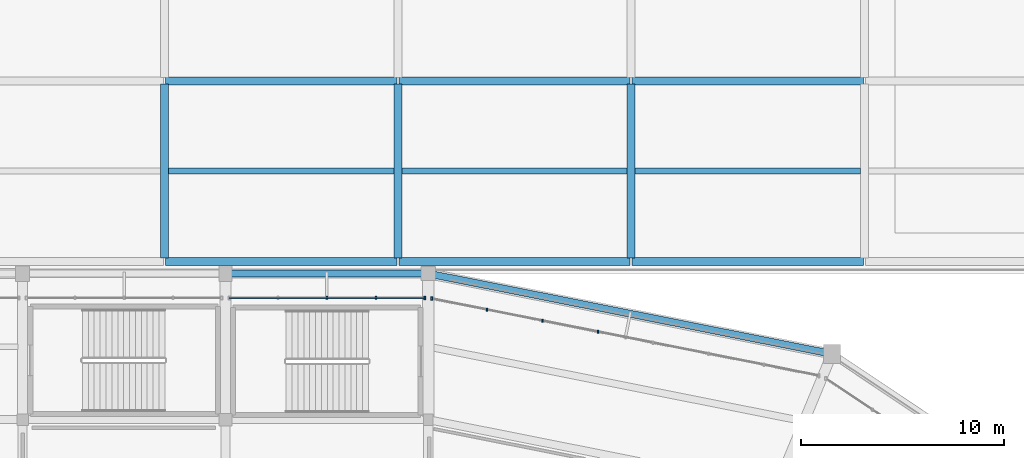
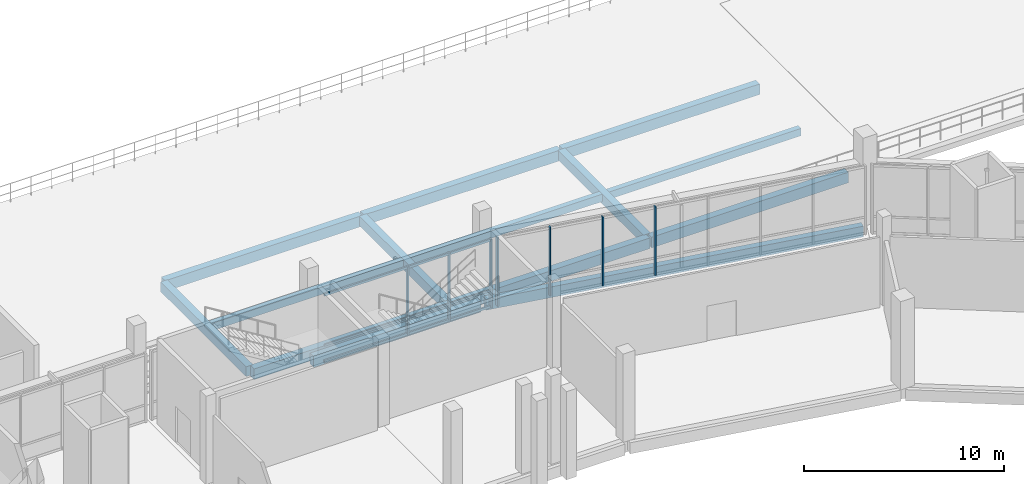
# One storey, part 56 of 111: 14 beams, 10 members, 2 elements without a shape of their own.
"""IFC4 building model written with IfcOpenShell, lengths in metres."""

from ifc_helpers import new_model, si_unit, direction, frame, origin, origin_2d, place, context, subcontext, project, spatial, rectangle, extrude, material, material_profile, profile_set, type_object, element, aggregate, save


model = new_model("IFC4")

# Units and contexts
model_context = context("Model", 3, precision=1e-05, world=origin(), true_north=direction((0.0, 1.0)))
body_context = subcontext(model_context, "Body", "Model", "MODEL_VIEW")
ifc_project = project(units=[si_unit("LENGTHUNIT", "METRE"), si_unit("AREAUNIT", "SQUARE_METRE"), si_unit("VOLUMEUNIT", "CUBIC_METRE"), si_unit("PLANEANGLEUNIT", "RADIAN"), si_unit("MASSUNIT", "GRAM", prefix="KILO")], contexts=[model_context])

# Site, building, storey
site_placement = place(None, origin())
site = spatial("IfcSite", under=ifc_project, at=site_placement, CompositionType="ELEMENT")
building_placement = place(site_placement, origin())
building = spatial("IfcBuilding", under=site, at=building_placement, Name="Candeia Ridge Stadium", CompositionType="ELEMENT")
storey_placement = place(building_placement, frame((0.0, 0.0, 16.199951171875)))
storey = spatial("IfcBuildingStorey", under=building, at=storey_placement, Name="L03", CompositionType="ELEMENT", Elevation=16.199951171875)

# Curtain wall, member
ifc_material_1 = material(Name="Aluminium Anodized Warm Bronze", Category="aluminium")
curtain_wall_type = type_object("IfcCurtainWallType", Name="Concourse Recessed Unitised Curtain Wall", PredefinedType="NOTDEFINED", material=ifc_material_1)
curtain_wall_1_placement = place(storey_placement, origin())
curtain_wall_1 = element("IfcCurtainWall", 1, at=curtain_wall_1_placement, inside=storey, type_object=curtain_wall_type, Name="Unitised curtain wall CW-BWL-L03-00", PredefinedType="NOTDEFINED")
ifc_material_profile_1 = material_profile(ifc_material_1, rectangle(XDim=0.090087890625, YDim=0.179931640625, at=origin_2d()), Name="CWM-90x180", Category="aluminium")
ifc_profile_set_1 = profile_set([ifc_material_profile_1], Name="Aluminium Anodized Warm Bronze")
member_type_1 = type_object("IfcMemberType", Name="Curtain Wall Primary Mullion 90x180", PredefinedType="MULLION", material=ifc_profile_set_1)
member_1_placement = place(storey_placement, frame((140.820068359375, 145.800048828125, 0.0), z_axis=(0.0, 0.0, 1.0), x_axis=(1.0, 0.0, 0.0)))
member_1 = element("IfcMember", 2, at=member_1_placement, type_object=member_type_1, Name="Curtain wall mullion CW-BWL-L03-00-M0", PredefinedType="MULLION", context=body_context, shape_type="SweptSolid", body=[
    extrude(rectangle(XDim=0.090087890625, YDim=0.179931640625, at=origin_2d()), origin(), (0.0, 0.0, 1.0), 4.205078125),
])

curtain_wall_2_placement = place(storey_placement, origin())
curtain_wall_2 = element("IfcCurtainWall", 3, at=curtain_wall_2_placement, inside=storey, type_object=curtain_wall_type, Name="Unitised curtain wall CW-BWL-L03-35", PredefinedType="NOTDEFINED")
member_2_placement = place(storey_placement, frame((141.176513671875, 145.764892578125, 0.0), z_axis=(0.0, 0.0, 1.0), x_axis=(1.0, 0.0, 0.0)))
member_2 = element("IfcMember", 4, at=member_2_placement, type_object=member_type_1, Name="Curtain wall mullion CW-BWL-L03-35-M7", PredefinedType="MULLION", context=body_context, shape_type="SweptSolid", body=[
    extrude(rectangle(XDim=0.090087890625, YDim=0.179931640625, at=origin_2d()), origin(), (0.0, 0.0, 1.0), 4.205078125),
])

# Member
ifc_material_profile_2 = material_profile(ifc_material_1, rectangle(XDim=0.074951171875, YDim=0.14990234375, at=origin_2d()), Name="CWM-75x150", Category="aluminium")
ifc_profile_set_2 = profile_set([ifc_material_profile_2], Name="Aluminium Anodized Warm Bronze")
member_type_2 = type_object("IfcMemberType", Name="Curtain Wall Secondary Mullion 75x150", PredefinedType="MULLION", material=ifc_profile_set_2)
member_3_placement = place(storey_placement, frame((138.409912109375, 145.800048828125, 0.0), z_axis=(0.0, 0.0, 1.0), x_axis=(1.0, 0.0, 0.0)))
member_3 = element("IfcMember", 5, at=member_3_placement, type_object=member_type_2, Name="Curtain wall mullion CW-BWL-L03-00-M1", PredefinedType="MULLION", context=body_context, shape_type="SweptSolid", body=[
    extrude(rectangle(XDim=0.074951171875, YDim=0.14990234375, at=origin_2d()), origin(), (0.0, 0.0, 1.0), 4.205078125),
])

member_4_placement = place(storey_placement, frame((136.0, 145.800048828125, 0.0), z_axis=(0.0, 0.0, 1.0), x_axis=(1.0, 0.0, 0.0)))
member_4 = element("IfcMember", 6, at=member_4_placement, type_object=member_type_2, Name="Curtain wall mullion CW-BWL-L03-00-M2", PredefinedType="MULLION", context=body_context, shape_type="SweptSolid", body=[
    extrude(rectangle(XDim=0.074951171875, YDim=0.14990234375, at=origin_2d()), origin(), (0.0, 0.0, 1.0), 4.205078125),
])

member_5_placement = place(storey_placement, frame((149.356689453125, 144.1376953125, 0.0), z_axis=(0.0, 0.0, 1.0), x_axis=(1.0, 0.0, 0.0)))
member_5 = element("IfcMember", 7, at=member_5_placement, type_object=member_type_2, Name="Curtain wall mullion CW-BWL-L03-35-M4", PredefinedType="MULLION", context=body_context, shape_type="SweptSolid", body=[
    extrude(rectangle(XDim=0.074951171875, YDim=0.14990234375, at=origin_2d()), origin(), (0.0, 0.0, 1.0), 4.205078125),
])

member_6_placement = place(storey_placement, frame((146.6298828125, 144.68017578125, 0.0), z_axis=(0.0, 0.0, 1.0), x_axis=(1.0, 0.0, 0.0)))
member_6 = element("IfcMember", 8, at=member_6_placement, type_object=member_type_2, Name="Curtain wall mullion CW-BWL-L03-35-M5", PredefinedType="MULLION", context=body_context, shape_type="SweptSolid", body=[
    extrude(rectangle(XDim=0.074951171875, YDim=0.14990234375, at=origin_2d()), origin(), (0.0, 0.0, 1.0), 4.205078125),
])

member_7_placement = place(storey_placement, frame((143.9033203125, 145.222412109375, 0.0), z_axis=(0.0, 0.0, 1.0), x_axis=(1.0, 0.0, 0.0)))
member_7 = element("IfcMember", 9, at=member_7_placement, type_object=member_type_2, Name="Curtain wall mullion CW-BWL-L03-35-M6", PredefinedType="MULLION", context=body_context, shape_type="SweptSolid", body=[
    extrude(rectangle(XDim=0.074951171875, YDim=0.14990234375, at=origin_2d()), origin(), (0.0, 0.0, 1.0), 4.205078125),
])

aggregate(curtain_wall_2, [member_5, member_6, member_7, member_2])

ifc_material_profile_3 = material_profile(ifc_material_1, rectangle(XDim=0.074951171875, YDim=0.110107421875, at=origin_2d()), Name="CWT-75x110", Category="aluminium")
ifc_profile_set_3 = profile_set([ifc_material_profile_3], Name="Aluminium Anodized Warm Bronze")
member_type_3 = type_object("IfcMemberType", Name="Curtain Wall Secondary Transom 75x110", PredefinedType="USERDEFINED", material=ifc_profile_set_3)
member_8_placement = place(storey_placement, frame((140.820068359375, 145.800048828125, 1.05126953125), z_axis=(-1.0, 0.0, 0.0), x_axis=(0.0, -1.0, 0.0)))
member_8 = element("IfcMember", 10, at=member_8_placement, type_object=member_type_3, Name="Curtain wall transom CW-BWL-L03-00-T1", ObjectType="TRANSOM", PredefinedType="USERDEFINED", context=body_context, shape_type="SweptSolid", body=[
    extrude(rectangle(XDim=0.074951171875, YDim=0.110107421875, at=origin_2d()), origin(), (0.0, 0.0, 1.0), 9.64013671875),
])

ifc_material_profile_4 = material_profile(ifc_material_1, rectangle(XDim=0.090087890625, YDim=0.139892578125, at=origin_2d()), Name="CWT-90x140", Category="aluminium")
ifc_profile_set_4 = profile_set([ifc_material_profile_4], Name="Aluminium Anodized Warm Bronze")
member_type_4 = type_object("IfcMemberType", Name="Curtain Wall Transom 90x140", PredefinedType="USERDEFINED", material=ifc_profile_set_4)
member_9_placement = place(storey_placement, frame((140.820068359375, 145.800048828125, 0.070068359375), z_axis=(-1.0, 0.0, 0.0), x_axis=(0.0, -1.0, 0.0)))
member_9 = element("IfcMember", 11, at=member_9_placement, type_object=member_type_4, Name="Curtain wall transom CW-BWL-L03-00-T0", ObjectType="TRANSOM", PredefinedType="USERDEFINED", context=body_context, shape_type="SweptSolid", body=[
    extrude(rectangle(XDim=0.090087890625, YDim=0.139892578125, at=origin_2d()), origin(), (0.0, 0.0, 1.0), 9.64013671875),
])

member_10_placement = place(storey_placement, frame((140.820068359375, 145.800048828125, 4.135009765625), z_axis=(-1.0, 0.0, 0.0), x_axis=(0.0, -1.0, 0.0)))
member_10 = element("IfcMember", 12, at=member_10_placement, type_object=member_type_4, Name="Curtain wall transom CW-BWL-L03-00-T2", ObjectType="TRANSOM", PredefinedType="USERDEFINED", context=body_context, shape_type="SweptSolid", body=[
    extrude(rectangle(XDim=0.090087890625, YDim=0.139892578125, at=origin_2d()), origin(), (0.0, 0.0, 1.0), 9.64013671875),
])

aggregate(curtain_wall_1, [member_1, member_3, member_4, member_9, member_8, member_10])

# Beams
ifc_material_2 = material(Name="Concrete C40/50", Category="concrete")
ifc_material_profile_5 = material_profile(ifc_material_2, rectangle(XDim=0.300048828125, YDim=0.449951171875, at=origin_2d()), Name="RC300x450", Category="concrete")
ifc_profile_set_5 = profile_set([ifc_material_profile_5], Name="Concrete C40/50")
beam_type_1 = type_object("IfcBeamType", Name="Floor Joist RC300x450", PredefinedType="JOIST", material=ifc_profile_set_5)
for number, where, z_axis, x_axis, name in (
    (13, (128.199462890625, 152.050048828125, -0.5048828125), (1.0, 0.0, 0.0), (0.0, 1.0, 0.0), "Wing secondary joist BM-L03-1914"),
    (14, (139.699462890625, 152.050048828125, -0.5048828125), (1.0, 0.0, 0.0), (0.0, 1.0, 0.0), "Wing secondary joist BM-L03-1919"),
    (15, (151.199462890625, 152.050048828125, -0.5048828125), (1.0, 0.0, 0.0), (0.0, 1.0, 0.0), "Wing secondary joist BM-L03-1924"),
):
    element("IfcBeam", number, at=place(storey_placement, frame(where, z_axis=z_axis, x_axis=x_axis)), inside=storey, type_object=beam_type_1, Name=name, PredefinedType="JOIST", context=body_context, shape_type="SweptSolid", body=[
        extrude(rectangle(XDim=0.300048828125, YDim=0.449951171875, at=origin_2d()), origin(), (0.0, 0.0, 1.0), 11.10107421875),
    ])
ifc_material_profile_6 = material_profile(ifc_material_2, rectangle(XDim=0.39990234375, YDim=0.60009765625, at=origin_2d()), Name="RC400x600", Category="concrete")
ifc_profile_set_6 = profile_set([ifc_material_profile_6], Name="Concrete C40/50")
beam_type_2 = type_object("IfcBeamType", Name="Frame Girder RC400x600", PredefinedType="BEAM", material=ifc_profile_set_6)
for number, where, z_axis, x_axis, name in (
    (16, (128.0, 147.760009765625, -0.579833984375), (0.0, 1.0, 0.0), (-1.0, 0.0, 0.0), "Structural girder BM-L03-1896"),
    (17, (139.5, 147.760009765625, -0.579833984375), (0.0, 1.0, 0.0), (-1.0, 0.0, 0.0), "Structural girder BM-L03-1898"),
    (18, (151.0, 147.760009765625, -0.579833984375), (0.0, 1.0, 0.0), (-1.0, 0.0, 0.0), "Structural girder BM-L03-1900"),
):
    element("IfcBeam", number, at=place(storey_placement, frame(where, z_axis=z_axis, x_axis=x_axis)), inside=storey, type_object=beam_type_2, Name=name, PredefinedType="BEAM", context=body_context, shape_type="SweptSolid", body=[
        extrude(rectangle(XDim=0.39990234375, YDim=0.60009765625, at=origin_2d()), origin(), (0.0, 0.0, 1.0), 8.580078125),
    ])
ifc_material_profile_7 = material_profile(ifc_material_2, rectangle(XDim=0.340087890625, YDim=0.679931640625, at=origin_2d()), Name="RC340x680", Category="concrete")
ifc_profile_set_7 = profile_set([ifc_material_profile_7], Name="Concrete C40/50")
beam_type_3 = type_object("IfcBeamType", Name="Spandrel Beam RC340x680", PredefinedType="SPANDREL", material=ifc_profile_set_7)
beam_1_placement = place(storey_placement, frame((140.840087890625, 147.0, -0.58984375), z_axis=(-1.0, 0.0, 0.0), x_axis=(0.0, -1.0, 0.0)))
element("IfcBeam", 19, at=beam_1_placement, inside=storey, type_object=beam_type_3, Name="Bowl perimeter spandrel BM-L03-0555", PredefinedType="SPANDREL", context=body_context, shape_type="SweptSolid", body=[
    extrude(rectangle(XDim=0.340087890625, YDim=0.679931640625, at=origin_2d()), origin(), (0.0, 0.0, 1.0), 9.68017578125),
])
ifc_material_profile_8 = material_profile(ifc_material_2, rectangle(XDim=0.35009765625, YDim=0.64990234375, at=origin_2d()), Name="RC350x650", Category="concrete")
ifc_profile_set_8 = profile_set([ifc_material_profile_8], Name="Concrete C40/50")
beam_type_4 = type_object("IfcBeamType", Name="Spandrel Beam RC350x650", PredefinedType="SPANDREL", material=ifc_profile_set_8)
beam_2_placement = place(storey_placement, frame((160.74267578125, 143.072998046875, -0.574951171875), z_axis=(-0.980786091775, 0.195086242929, 0.0), x_axis=(-0.195086242929, -0.980786091775, 0.0)))
element("IfcBeam", 20, at=beam_2_placement, inside=storey, type_object=beam_type_4, Name="Bowl perimeter spandrel BM-L03-0718", PredefinedType="SPANDREL", context=body_context, shape_type="SweptSolid", body=[
    extrude(rectangle(XDim=0.35009765625, YDim=0.64990234375, at=origin_2d()), origin(), (0.0, 0.0, 1.0), 19.969482421875),
])
ifc_material_profile_9 = material_profile(ifc_material_2, rectangle(XDim=0.39990234375, YDim=0.64990234375, at=origin_2d()), Name="RC400x650", Category="concrete")
ifc_profile_set_9 = profile_set([ifc_material_profile_9], Name="Concrete C40/50")
beam_type_5 = type_object("IfcBeamType", Name="Wing Primary Girder RC400x650", PredefinedType="BEAM", material=ifc_profile_set_9)
for number, where, z_axis, x_axis, name in (
    (21, (128.050048828125, 147.60009765625, -0.60498046875), (1.0, 0.0, 0.0), (0.0, 1.0, 0.0), "Structural girder BM-L03-1913"),
    (22, (128.050048828125, 156.5, -0.60498046875), (1.0, 0.0, 0.0), (0.0, 1.0, 0.0), "Structural girder BM-L03-1915"),
    (23, (139.550048828125, 147.60009765625, -0.60498046875), (1.0, 0.0, 0.0), (0.0, 1.0, 0.0), "Structural girder BM-L03-1918"),
    (24, (139.550048828125, 156.5, -0.60498046875), (1.0, 0.0, 0.0), (0.0, 1.0, 0.0), "Structural girder BM-L03-1920"),
    (25, (151.050048828125, 147.60009765625, -0.60498046875), (1.0, 0.0, 0.0), (0.0, 1.0, 0.0), "Structural girder BM-L03-1923"),
    (26, (151.050048828125, 156.5, -0.60498046875), (1.0, 0.0, 0.0), (0.0, 1.0, 0.0), "Structural girder BM-L03-1925"),
):
    element("IfcBeam", number, at=place(storey_placement, frame(where, z_axis=z_axis, x_axis=x_axis)), inside=storey, type_object=beam_type_5, Name=name, PredefinedType="BEAM", context=body_context, shape_type="SweptSolid", body=[
        extrude(rectangle(XDim=0.39990234375, YDim=0.64990234375, at=origin_2d()), origin(), (0.0, 0.0, 1.0), 11.39990234375),
    ])

save(model, "model.ifc")
